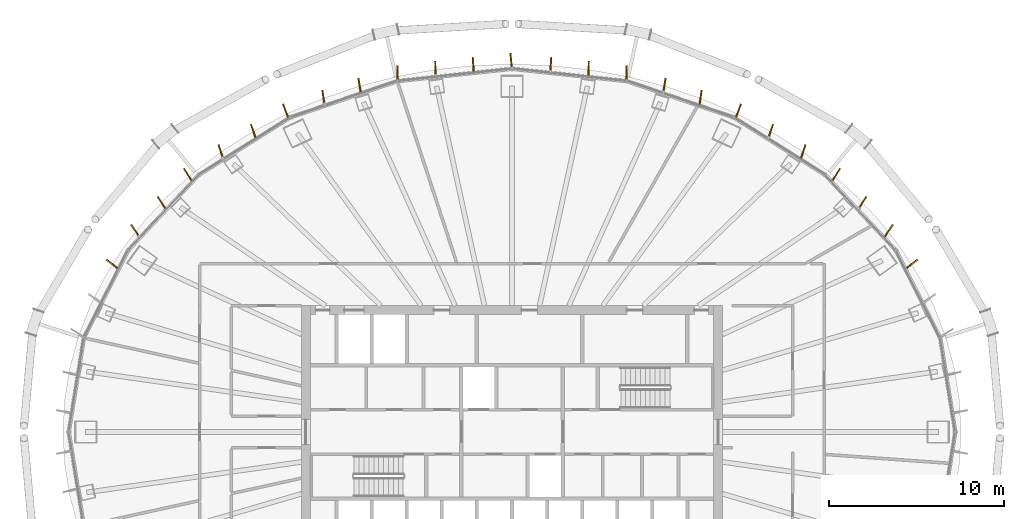
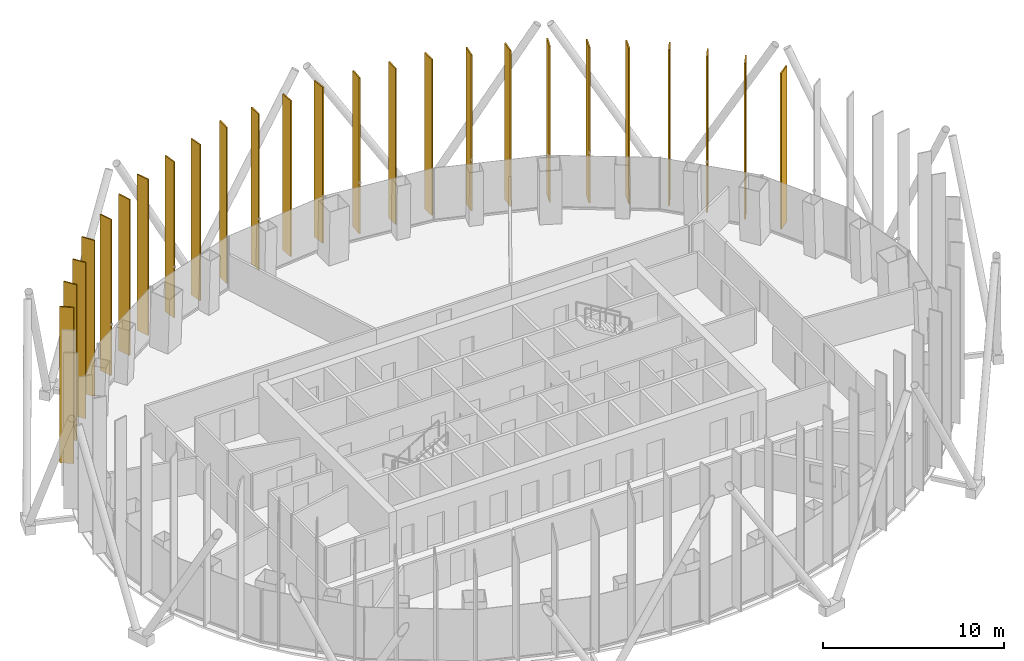
# One storey, part 19 of 19: 25 shading devices.
"""IFC4 building model written with IfcOpenShell, lengths in metres."""

from ifc_helpers import new_model, si_unit, direction, frame, origin, origin_2d, place, context, subcontext, project, spatial, rectangle, extrude, material, layer, layer_set, type_object, element, save


model = new_model("IFC4")

# Units and contexts
model_context = context("Model", 3, precision=1e-05, world=origin(), true_north=direction((0.0, 1.0)))
body_context = subcontext(model_context, "Body", "Model", "MODEL_VIEW")
ifc_project = project(units=[si_unit("LENGTHUNIT", "METRE"), si_unit("AREAUNIT", "SQUARE_METRE"), si_unit("VOLUMEUNIT", "CUBIC_METRE"), si_unit("PLANEANGLEUNIT", "RADIAN"), si_unit("MASSUNIT", "GRAM", prefix="KILO")], contexts=[model_context])

# Site, building, storey
site_placement = place(None, origin())
site = spatial("IfcSite", under=ifc_project, at=site_placement, CompositionType="ELEMENT")
building_placement = place(site_placement, origin())
building = spatial("IfcBuilding", under=site, at=building_placement, Name="Siaravel Broadcast Tower", CompositionType="ELEMENT")
storey_placement = place(building_placement, frame((0.0, 0.0, 119.300048828125)))
storey = spatial("IfcBuildingStorey", under=building, at=storey_placement, Name="L28", CompositionType="ELEMENT", Elevation=119.300048828125)

# Shading devices
ifc_material = material(Name="Bronze anodised aluminium", Category="aluminium")
ifc_layer = layer(ifc_material, 0.080078125)
ifc_layer_set = layer_set([ifc_layer], Name="Bronze anodised aluminium")
shading_device_type = type_object("IfcShadingDeviceType", Name="Bronze fin zone 2", PredefinedType="USERDEFINED", material=ifc_layer_set)
for number, where, z_axis, x_axis, name in (
    (1, (22.810791015625, 9.587890625, 0.300048828125), (0.0, 0.0, 1.0), (0.786810082, 0.617195184, 0.0), "Bronze fin L28-05"),
    (2, (21.48583984375, 11.481689453125, 0.300048828125), (0.0, 0.0, 1.0), (0.561615585, 0.827398293, 0.0), "Bronze fin L28-06"),
    (3, (19.985107421875, 13.081787109375, 0.300048828125), (0.0, 0.0, 1.0), (0.548520906, 0.83613684, 0.0), "Bronze fin L28-07"),
    (4, (18.487060546875, 14.679931640625, 0.300048828125), (0.0, 0.0, 1.0), (0.542925306, 0.839780991, 0.0), "Bronze fin L28-08"),
    (5, (16.606689453125, 16.00048828125, 0.300048828125), (0.0, 0.0, 1.0), (0.313902973, 0.949455067, 0.0), "Bronze fin L28-09"),
    (6, (14.758544921875, 17.16357421875, 0.300048828125), (0.0, 0.0, 1.0), (0.323991723, 0.946059915, 0.0), "Bronze fin L28-10"),
    (7, (12.913330078125, 18.3251953125, 0.300048828125), (0.0, 0.0, 1.0), (0.34143129, 0.939906737, 0.0), "Bronze fin L28-11"),
    (8, (10.75341796875, 19.08154296875, 0.300048828125), (0.0, 0.0, 1.0), (0.13857334, 0.990352174, 0.0), "Bronze fin L28-12"),
    (9, (8.69384765625, 19.78271484375, 0.300048828125), (0.0, 0.0, 1.0), (0.168948702, 0.985624846, 0.0), "Bronze fin L28-13"),
    (10, (6.529296875, 20.49267578125, 0.300048828125), (0.0, 0.0, 1.0), (-0.014447333, 0.999895632, 0.0), "Bronze fin L28-14"),
    (11, (4.369384765625, 20.72705078125, 0.300048828125), (0.0, 0.0, 1.0), (0.023969801, 0.999712683, 0.0), "Bronze fin L28-15"),
    (12, (2.210693359375, 20.9609375, 0.300048828125), (0.0, 0.0, 1.0), (0.065169754, 0.997874192, 0.0), "Bronze fin L28-16"),
    (13, (-0.05224609375, 21.194091796875, 0.300048828125), (0.0, 0.0, 1.0), (-0.107216783, 0.994235667, 0.0), "Bronze fin L28-17"),
    (14, (-2.210693359375, 20.9609375, 0.300048828125), (0.0, 0.0, 1.0), (-0.065169754, 0.997874192, 0.0), "Bronze fin L28-18"),
    (15, (-4.369384765625, 20.72705078125, 0.300048828125), (0.0, 0.0, 1.0), (-0.023969801, 0.999712683, 0.0), "Bronze fin L28-19"),
    (16, (-6.529296875, 20.49267578125, 0.300048828125), (0.0, 0.0, 1.0), (0.014447333, 0.999895632, 0.0), "Bronze fin L28-20"),
    (17, (-8.69384765625, 19.78271484375, 0.300048828125), (0.0, 0.0, 1.0), (-0.168948702, 0.985624846, 0.0), "Bronze fin L28-21"),
    (18, (-10.75341796875, 19.08154296875, 0.300048828125), (0.0, 0.0, 1.0), (-0.13857334, 0.990352174, 0.0), "Bronze fin L28-22"),
    (19, (-12.913330078125, 18.3251953125, 0.300048828125), (0.0, 0.0, 1.0), (-0.34143129, 0.939906737, 0.0), "Bronze fin L28-23"),
    (20, (-14.758544921875, 17.16357421875, 0.300048828125), (0.0, 0.0, 1.0), (-0.323991723, 0.946059915, 0.0), "Bronze fin L28-24"),
    (21, (-16.606689453125, 16.00048828125, 0.300048828125), (0.0, 0.0, 1.0), (-0.313902973, 0.949455067, 0.0), "Bronze fin L28-25"),
    (22, (-18.487060546875, 14.679931640625, 0.300048828125), (0.0, 0.0, 1.0), (-0.542925306, 0.839780991, 0.0), "Bronze fin L28-26"),
    (23, (-19.985107421875, 13.081787109375, 0.300048828125), (0.0, 0.0, 1.0), (-0.548520906, 0.83613684, 0.0), "Bronze fin L28-27"),
    (24, (-21.48583984375, 11.481689453125, 0.300048828125), (0.0, 0.0, 1.0), (-0.561615585, 0.827398293, 0.0), "Bronze fin L28-28"),
    (25, (-22.810791015625, 9.587890625, 0.300048828125), (0.0, 0.0, 1.0), (-0.786810082, 0.617195184, 0.0), "Bronze fin L28-29"),
):
    element("IfcShadingDevice", number, at=place(storey_placement, frame(where, z_axis=z_axis, x_axis=x_axis)), inside=storey, type_object=shading_device_type, Name=name, ObjectType="FIN", PredefinedType="USERDEFINED", context=body_context, shape_type="SweptSolid", body=[
        extrude(rectangle(XDim=0.800048828125, YDim=0.080078125, at=origin_2d()), origin(), (0.0, 0.0, 1.0), 10.5),
    ])

save(model, "model.ifc")
